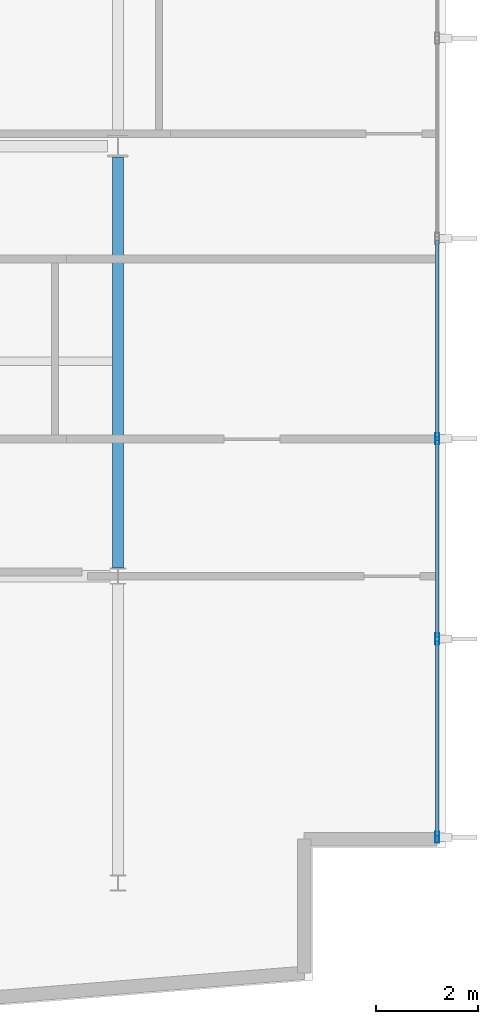
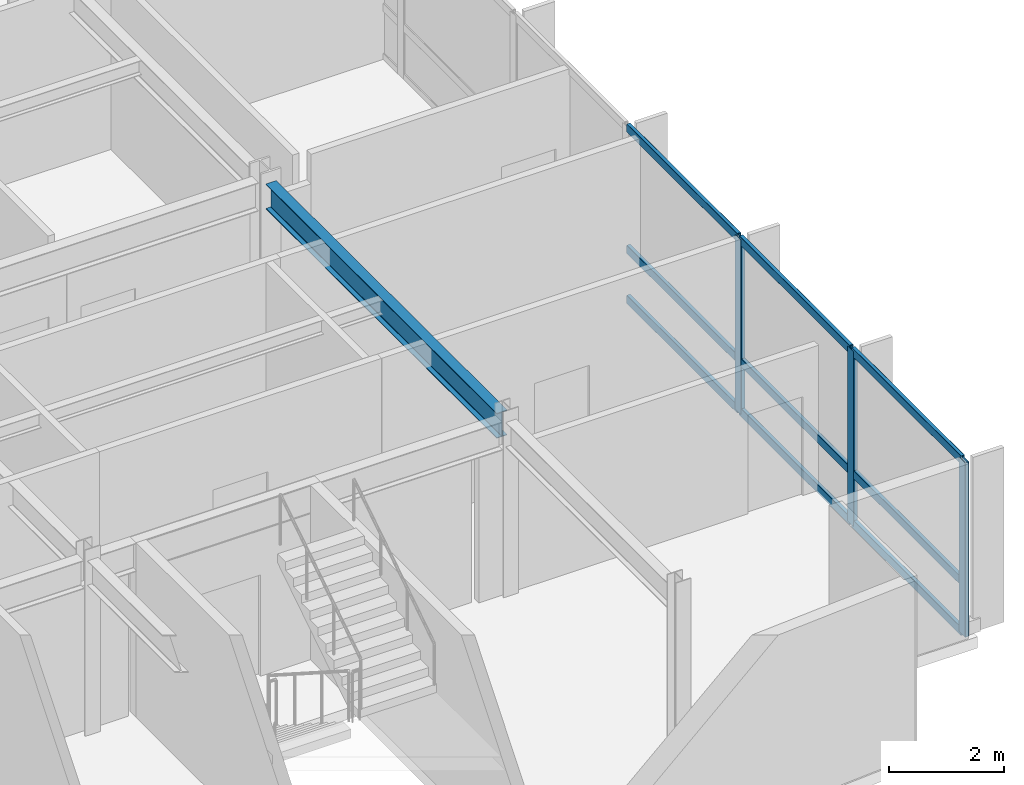
# One storey, part 5 of 19: 12 members, 1 beam, 1 element without a shape of its own.
"""IFC4 building model written with IfcOpenShell, lengths in metres."""

from ifc_helpers import new_model, si_unit, direction, frame, origin, origin_2d, place, context, subcontext, project, spatial, hollow_rectangle, i_section, extrude, material, layer, layer_set, material_profile, profile_set, type_object, element, aggregate, save


model = new_model("IFC4")

# Units and contexts
model_context = context("Model", 3, precision=1e-05, world=origin(), true_north=direction((0.0, 1.0)))
body_context = subcontext(model_context, "Body", "Model", "MODEL_VIEW")
ifc_project = project(units=[si_unit("LENGTHUNIT", "METRE"), si_unit("AREAUNIT", "SQUARE_METRE"), si_unit("VOLUMEUNIT", "CUBIC_METRE"), si_unit("PLANEANGLEUNIT", "RADIAN"), si_unit("MASSUNIT", "GRAM", prefix="KILO")], contexts=[model_context])

# Site, building, storey
site_placement = place(None, origin())
site = spatial("IfcSite", under=ifc_project, at=site_placement, CompositionType="ELEMENT")
building_placement = place(site_placement, origin())
building = spatial("IfcBuilding", under=site, at=building_placement, Name="Varnakote Quay Hospital", CompositionType="ELEMENT")
storey_placement = place(building_placement, frame((0.0, 0.0, 162.60009765625)))
storey = spatial("IfcBuildingStorey", under=building, at=storey_placement, Name="L40", CompositionType="ELEMENT", Elevation=162.60009765625)

# Beam
ifc_material_1 = material(Name="Structural steel AS/NZS 3679.1 Grade 350 L0 (fy 340 MPa)", Category="steel")
ifc_material_profile_1 = material_profile(ifc_material_1, i_section(OverallWidth=0.208984375, OverallDepth=0.532958984375, WebThickness=0.01025390625, FlangeThickness=0.015625, FilletRadius=0.013916015625, at=origin_2d()), Name="530UB92.4")
ifc_profile_set_1 = profile_set([ifc_material_profile_1], Name="Structural steel AS/NZS 3679.1 Grade 350 L0 (fy 340 MPa)")
beam_type = type_object("IfcBeamType", Name="BM-STL-530UB92-4", PredefinedType="BEAM", material=ifc_profile_set_1)
beam_placement = place(storey_placement, frame((50.39990234375, 12.157470703125, 3.443359375), z_axis=(0.0, 1.0, 0.0), x_axis=(-1.0, 0.0, 0.0)))
element("IfcBeam", 1, at=beam_placement, inside=storey, type_object=beam_type, Name="L40 Primary Tie Beam", PredefinedType="BEAM", context=body_context, shape_type="SweptSolid", body=[
    extrude(i_section(OverallWidth=0.208984375, OverallDepth=0.532958984375, WebThickness=0.01025390625, FlangeThickness=0.015625, FilletRadius=0.013916015625, at=origin_2d()), origin(), (0.0, 0.0, 1.0), 8.032470703125),
])

# Curtain wall, members
ifc_material_2 = material(Name="Anodised aluminium 6063-T6 Bronze", Category="aluminium")
ifc_layer = layer(ifc_material_2, 0.205078125)
ifc_layer_set = layer_set([ifc_layer], Name="Anodised aluminium 6063-T6 Bronze")
curtain_wall_type = type_object("IfcCurtainWallType", Name="CW-SYS-3", PredefinedType="NOTDEFINED", material=ifc_layer_set)
curtain_wall_placement = place(storey_placement, origin())
curtain_wall = element("IfcCurtainWall", 2, at=curtain_wall_placement, inside=storey, type_object=curtain_wall_type, Name="L40 Unitised Bronze Curtain Wall 1", PredefinedType="NOTDEFINED")
ifc_material_3 = material(Name="Anodised aluminium 6063-T6 Bronze", Category="aluminium")
ifc_material_profile_2 = material_profile(ifc_material_3, hollow_rectangle(XDim=0.074951171875, YDim=0.219970703125, WallThickness=0.00439453125, InnerFilletRadius=0.00439453125, OuterFilletRadius=0.009033203125, at=origin_2d()), Name="CW-MULL-220x75")
ifc_profile_set_2 = profile_set([ifc_material_profile_2], Name="Anodised aluminium 6063-T6 Bronze")
member_type_1 = type_object("IfcMemberType", Name="CW-MULL-220x75", PredefinedType="MULLION", material=ifc_profile_set_2)
member_1_placement = place(storey_placement, frame((56.639892578125, 6.8974609375, 0.0), z_axis=(0.0, 0.0, 1.0), x_axis=(-1.0, 0.0, 0.0)))
member_1 = element("IfcMember", 3, at=member_1_placement, type_object=member_type_1, Name="-3-L40-1 mullion 1", PredefinedType="MULLION", context=body_context, shape_type="SweptSolid", body=[
    extrude(hollow_rectangle(XDim=0.074951171875, YDim=0.219970703125, WallThickness=0.00439453125, InnerFilletRadius=0.00439453125, OuterFilletRadius=0.009033203125, at=origin_2d()), origin(), (0.0, 0.0, 1.0), 3.7099609375),
])
member_2_placement = place(storey_placement, frame((56.639892578125, 10.7734375, 0.0), z_axis=(0.0, 0.0, 1.0), x_axis=(-1.0, 0.0, 0.0)))
member_2 = element("IfcMember", 4, at=member_2_placement, type_object=member_type_1, Name="-3-L40-1 mullion 2", PredefinedType="MULLION", context=body_context, shape_type="SweptSolid", body=[
    extrude(hollow_rectangle(XDim=0.074951171875, YDim=0.219970703125, WallThickness=0.00439453125, InnerFilletRadius=0.00439453125, OuterFilletRadius=0.009033203125, at=origin_2d()), origin(), (0.0, 0.0, 1.0), 3.7099609375),
])
member_3_placement = place(storey_placement, frame((56.639892578125, 14.686767578125, 0.0), z_axis=(0.0, 0.0, 1.0), x_axis=(-1.0, 0.0, 0.0)))
member_3 = element("IfcMember", 5, at=member_3_placement, type_object=member_type_1, Name="-3-L40-1 mullion 3", PredefinedType="MULLION", context=body_context, shape_type="SweptSolid", body=[
    extrude(hollow_rectangle(XDim=0.074951171875, YDim=0.219970703125, WallThickness=0.00439453125, InnerFilletRadius=0.00439453125, OuterFilletRadius=0.009033203125, at=origin_2d()), origin(), (0.0, 0.0, 1.0), 3.7099609375),
])
ifc_material_4 = material(Name="Anodised aluminium 6063-T6 Bronze", Category="aluminium")
ifc_material_profile_3 = material_profile(ifc_material_4, hollow_rectangle(XDim=0.074951171875, YDim=0.179931640625, WallThickness=0.004150390625, InnerFilletRadius=0.004150390625, OuterFilletRadius=0.00830078125, at=origin_2d()), Name="CW-TRAN-180x75")
ifc_profile_set_3 = profile_set([ifc_material_profile_3], Name="Anodised aluminium 6063-T6 Bronze")
member_type_2 = type_object("IfcMemberType", Name="CW-TRAN-180x75", PredefinedType="USERDEFINED", material=ifc_profile_set_3)
member_4_placement = place(storey_placement, frame((56.639892578125, 6.93505859375, 0.037353515625), z_axis=(0.0, 1.0, 0.0), x_axis=(-1.0, 0.0, 0.0)))
member_4 = element("IfcMember", 6, at=member_4_placement, type_object=member_type_2, Name="-3-L40-1 transom 1.1", ObjectType="TRANSOM", PredefinedType="USERDEFINED", context=body_context, shape_type="SweptSolid", body=[
    extrude(hollow_rectangle(XDim=0.074951171875, YDim=0.179931640625, WallThickness=0.004150390625, InnerFilletRadius=0.004150390625, OuterFilletRadius=0.00830078125, at=origin_2d()), origin(), (0.0, 0.0, 1.0), 3.80078125),
])
member_5_placement = place(storey_placement, frame((56.639892578125, 6.93505859375, 1.099853515625), z_axis=(0.0, 1.0, 0.0), x_axis=(-1.0, 0.0, 0.0)))
member_5 = element("IfcMember", 7, at=member_5_placement, type_object=member_type_2, Name="-3-L40-1 transom 1.2", ObjectType="TRANSOM", PredefinedType="USERDEFINED", context=body_context, shape_type="SweptSolid", body=[
    extrude(hollow_rectangle(XDim=0.074951171875, YDim=0.179931640625, WallThickness=0.004150390625, InnerFilletRadius=0.004150390625, OuterFilletRadius=0.00830078125, at=origin_2d()), origin(), (0.0, 0.0, 1.0), 3.80078125),
])
member_6_placement = place(storey_placement, frame((56.639892578125, 6.93505859375, 3.67236328125), z_axis=(0.0, 1.0, 0.0), x_axis=(-1.0, 0.0, 0.0)))
member_6 = element("IfcMember", 8, at=member_6_placement, type_object=member_type_2, Name="-3-L40-1 transom 1.3", ObjectType="TRANSOM", PredefinedType="USERDEFINED", context=body_context, shape_type="SweptSolid", body=[
    extrude(hollow_rectangle(XDim=0.074951171875, YDim=0.179931640625, WallThickness=0.004150390625, InnerFilletRadius=0.004150390625, OuterFilletRadius=0.00830078125, at=origin_2d()), origin(), (0.0, 0.0, 1.0), 3.80078125),
])
member_7_placement = place(storey_placement, frame((56.639892578125, 10.810791015625, 0.037353515625), z_axis=(0.0, 1.0, 0.0), x_axis=(-1.0, 0.0, 0.0)))
member_7 = element("IfcMember", 9, at=member_7_placement, type_object=member_type_2, Name="-3-L40-1 transom 2.1", ObjectType="TRANSOM", PredefinedType="USERDEFINED", context=body_context, shape_type="SweptSolid", body=[
    extrude(hollow_rectangle(XDim=0.074951171875, YDim=0.179931640625, WallThickness=0.004150390625, InnerFilletRadius=0.004150390625, OuterFilletRadius=0.00830078125, at=origin_2d()), origin(), (0.0, 0.0, 1.0), 3.83837890625),
])
member_8_placement = place(storey_placement, frame((56.639892578125, 10.810791015625, 1.099853515625), z_axis=(0.0, 1.0, 0.0), x_axis=(-1.0, 0.0, 0.0)))
member_8 = element("IfcMember", 10, at=member_8_placement, type_object=member_type_2, Name="-3-L40-1 transom 2.2", ObjectType="TRANSOM", PredefinedType="USERDEFINED", context=body_context, shape_type="SweptSolid", body=[
    extrude(hollow_rectangle(XDim=0.074951171875, YDim=0.179931640625, WallThickness=0.004150390625, InnerFilletRadius=0.004150390625, OuterFilletRadius=0.00830078125, at=origin_2d()), origin(), (0.0, 0.0, 1.0), 3.83837890625),
])
member_9_placement = place(storey_placement, frame((56.639892578125, 10.810791015625, 3.67236328125), z_axis=(0.0, 1.0, 0.0), x_axis=(-1.0, 0.0, 0.0)))
member_9 = element("IfcMember", 11, at=member_9_placement, type_object=member_type_2, Name="-3-L40-1 transom 2.3", ObjectType="TRANSOM", PredefinedType="USERDEFINED", context=body_context, shape_type="SweptSolid", body=[
    extrude(hollow_rectangle(XDim=0.074951171875, YDim=0.179931640625, WallThickness=0.004150390625, InnerFilletRadius=0.004150390625, OuterFilletRadius=0.00830078125, at=origin_2d()), origin(), (0.0, 0.0, 1.0), 3.83837890625),
])
member_10_placement = place(storey_placement, frame((56.639892578125, 14.72412109375, 0.037353515625), z_axis=(0.0, 1.0, 0.0), x_axis=(-1.0, 0.0, 0.0)))
member_10 = element("IfcMember", 12, at=member_10_placement, type_object=member_type_2, Name="-3-L40-1 transom 3.1", ObjectType="TRANSOM", PredefinedType="USERDEFINED", context=body_context, shape_type="SweptSolid", body=[
    extrude(hollow_rectangle(XDim=0.074951171875, YDim=0.179931640625, WallThickness=0.004150390625, InnerFilletRadius=0.004150390625, OuterFilletRadius=0.00830078125, at=origin_2d()), origin(), (0.0, 0.0, 1.0), 3.83837890625),
])
member_11_placement = place(storey_placement, frame((56.639892578125, 14.72412109375, 1.099853515625), z_axis=(0.0, 1.0, 0.0), x_axis=(-1.0, 0.0, 0.0)))
member_11 = element("IfcMember", 13, at=member_11_placement, type_object=member_type_2, Name="-3-L40-1 transom 3.2", ObjectType="TRANSOM", PredefinedType="USERDEFINED", context=body_context, shape_type="SweptSolid", body=[
    extrude(hollow_rectangle(XDim=0.074951171875, YDim=0.179931640625, WallThickness=0.004150390625, InnerFilletRadius=0.004150390625, OuterFilletRadius=0.00830078125, at=origin_2d()), origin(), (0.0, 0.0, 1.0), 3.83837890625),
])
member_12_placement = place(storey_placement, frame((56.639892578125, 14.72412109375, 3.67236328125), z_axis=(0.0, 1.0, 0.0), x_axis=(-1.0, 0.0, 0.0)))
member_12 = element("IfcMember", 14, at=member_12_placement, type_object=member_type_2, Name="-3-L40-1 transom 3.3", ObjectType="TRANSOM", PredefinedType="USERDEFINED", context=body_context, shape_type="SweptSolid", body=[
    extrude(hollow_rectangle(XDim=0.074951171875, YDim=0.179931640625, WallThickness=0.004150390625, InnerFilletRadius=0.004150390625, OuterFilletRadius=0.00830078125, at=origin_2d()), origin(), (0.0, 0.0, 1.0), 3.83837890625),
])
aggregate(curtain_wall, [member_1, member_2, member_3, member_4, member_5, member_6, member_7, member_8, member_9, member_10, member_11, member_12])

save(model, "model.ifc")
